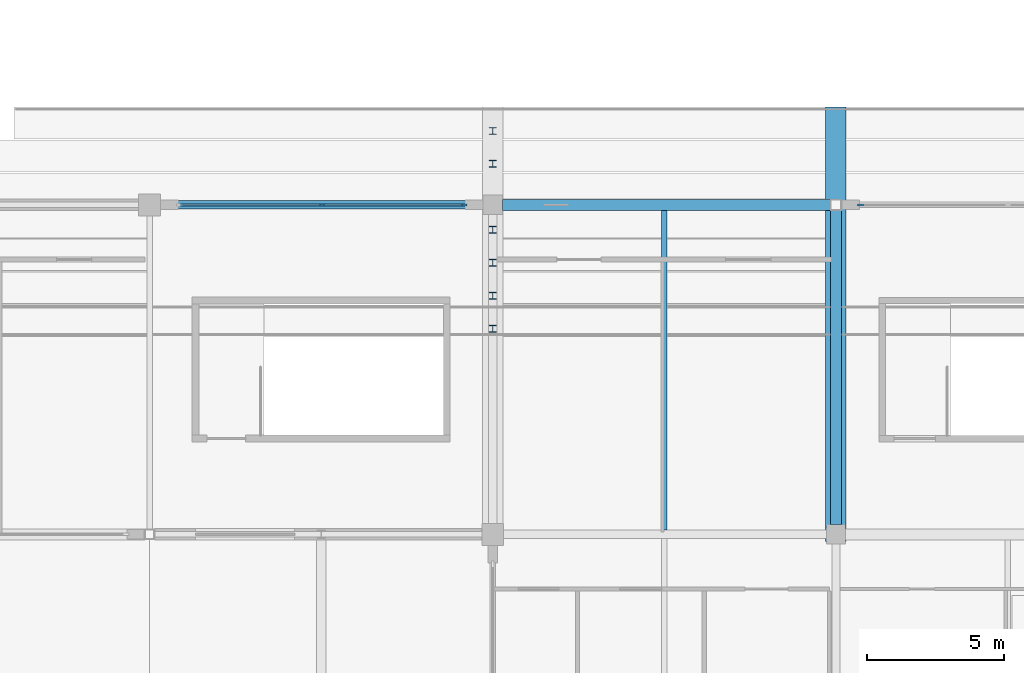
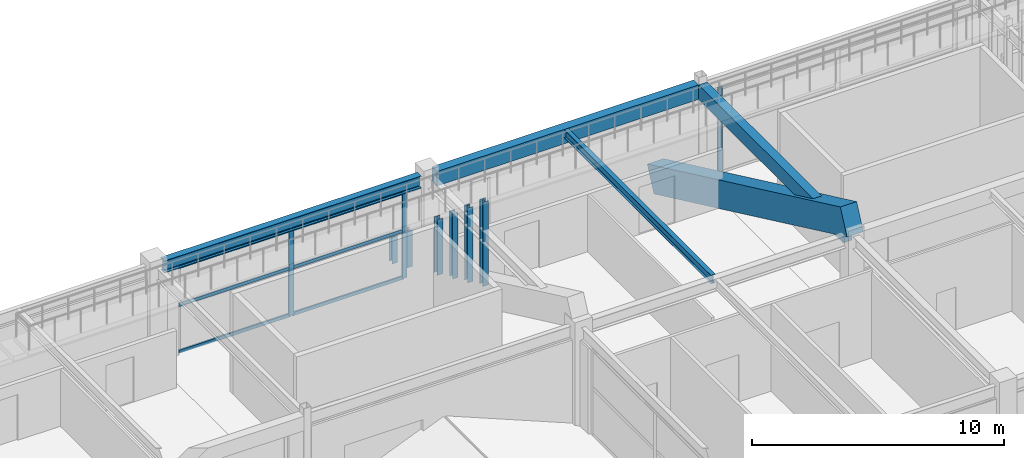
# One storey, part 33 of 128: 15 members, 5 beams, 2 elements without a shape of their own.
"""IFC4 building model written with IfcOpenShell, lengths in metres."""

from ifc_helpers import new_model, si_unit, direction, frame, origin, origin_2d, place, context, subcontext, project, spatial, rectangle, i_section, extrude, material, layer, layer_set, material_profile, profile_set, type_object, element, aggregate, save


model = new_model("IFC4")

# Units and contexts
model_context = context("Model", 3, precision=1e-05, world=origin(), true_north=direction((0.0, 1.0)))
body_context = subcontext(model_context, "Body", "Model", "MODEL_VIEW")
ifc_project = project(units=[si_unit("LENGTHUNIT", "METRE"), si_unit("AREAUNIT", "SQUARE_METRE"), si_unit("VOLUMEUNIT", "CUBIC_METRE"), si_unit("PLANEANGLEUNIT", "RADIAN"), si_unit("MASSUNIT", "GRAM", prefix="KILO")], contexts=[model_context])

# Site, building, storey
site_placement = place(None, origin())
site = spatial("IfcSite", under=ifc_project, at=site_placement, CompositionType="ELEMENT")
building_placement = place(site_placement, origin())
building = spatial("IfcBuilding", under=site, at=building_placement, Name="Kazenohara Klinker Stadium", CompositionType="ELEMENT")
storey_placement = place(building_placement, frame((0.0, 0.0, 15.300048828125)))
storey = spatial("IfcBuildingStorey", under=building, at=storey_placement, Name="L03", CompositionType="ELEMENT", Elevation=15.300048828125)

# Beams
ifc_material_1 = material(Name="Steel S355", Category="steel")
ifc_material_profile_1 = material_profile(ifc_material_1, i_section(OverallWidth=0.199951171875, OverallDepth=0.39990234375, WebThickness=0.008056640625, FlangeThickness=0.012939453125, FilletRadius=0.012939453125, at=origin_2d()), Name="H-400x200x8x13")
ifc_profile_set_1 = profile_set([ifc_material_profile_1], Name="Steel S355")
beam_type_1 = type_object("IfcBeamType", Name="BM-JST03", PredefinedType="JOIST", material=ifc_profile_set_1)
beam_1_placement = place(storey_placement, frame((80.25, 24.14990234375, 4.56005859375), z_axis=(0.0, 1.0, 0.0), x_axis=(-1.0, 0.0, 0.0)))
element("IfcBeam", 1, at=beam_1_placement, inside=storey, type_object=beam_type_1, Name="Secondary floor joist SJ03 L03 7/C", PredefinedType="JOIST", context=body_context, shape_type="SweptSolid", body=[
    extrude(i_section(OverallWidth=0.199951171875, OverallDepth=0.39990234375, WebThickness=0.008056640625, FlangeThickness=0.012939453125, FilletRadius=0.012939453125, at=origin_2d()), origin(), (0.0, 0.0, 1.0), 11.650146484375),
])
ifc_material_2 = material(Name="Concrete C40/50", Category="concrete")
ifc_material_profile_2 = material_profile(ifc_material_2, rectangle(XDim=0.39990234375, YDim=0.699951171875, at=origin_2d()), Name="RC-BM-400x700")
ifc_profile_set_2 = profile_set([ifc_material_profile_2], Name="Concrete C40/50")
beam_type_2 = type_object("IfcBeamType", Name="BM-RC04", PredefinedType="BEAM", material=ifc_profile_set_2)
beam_2_placement = place(storey_placement, frame((74.35009765625, 36.0, 4.409912109375), z_axis=(1.0, 0.0, 0.0), x_axis=(0.0, 1.0, 0.0)))
element("IfcBeam", 2, at=beam_2_placement, inside=storey, type_object=beam_type_2, Name="Primary girder BG04 L03 7-8/D", PredefinedType="BEAM", context=body_context, shape_type="SweptSolid", body=[
    extrude(rectangle(XDim=0.39990234375, YDim=0.699951171875, at=origin_2d()), origin(), (0.0, 0.0, 1.0), 11.949951171875),
])
beam_3_placement = place(storey_placement, frame((86.5, 24.35009765625, 4.409912109375), z_axis=(0.0, 1.0, 0.0), x_axis=(-1.0, 0.0, 0.0)))
element("IfcBeam", 3, at=beam_3_placement, inside=storey, type_object=beam_type_2, Name="Primary girder BG04 L03 8/C-D", PredefinedType="BEAM", context=body_context, shape_type="SweptSolid", body=[
    extrude(rectangle(XDim=0.39990234375, YDim=0.699951171875, at=origin_2d()), origin(), (0.0, 0.0, 1.0), 11.449951171875),
])
ifc_material_profile_3 = material_profile(ifc_material_1, i_section(OverallWidth=0.300048828125, OverallDepth=0.587890625, WebThickness=0.011962890625, FlangeThickness=0.02001953125, FilletRadius=0.02197265625, at=origin_2d()), Name="H-588x300x12x20")
ifc_profile_set_3 = profile_set([ifc_material_profile_3], Name="Steel S355")
beam_type_3 = type_object("IfcBeamType", Name="BM-ST05", PredefinedType="BEAM", material=ifc_profile_set_3)
beam_4_placement = place(storey_placement, frame((61.89990234375, 36.0, 4.466064453125), z_axis=(1.0, 0.0, 0.0), x_axis=(0.0, 1.0, 0.0)))
element("IfcBeam", 4, at=beam_4_placement, inside=storey, type_object=beam_type_3, Name="Primary girder SB05 L03 6-7/D", PredefinedType="BEAM", context=body_context, shape_type="SweptSolid", body=[
    extrude(i_section(OverallWidth=0.300048828125, OverallDepth=0.587890625, WebThickness=0.011962890625, FlangeThickness=0.02001953125, FilletRadius=0.02197265625, at=origin_2d()), origin(), (0.0, 0.0, 1.0), 11.75),
])

# Curtain wall, members
ifc_material_3 = material(Name="Anodised aluminium and triple glazing", Category="aluminium")
ifc_layer_1 = layer(ifc_material_3, 0.179931640625)
ifc_layer_set_1 = layer_set([ifc_layer_1], Name="Anodised aluminium and triple glazing")
curtain_wall_type_1 = type_object("IfcCurtainWallType", Name="CW-SYS-02", PredefinedType="USERDEFINED", material=ifc_layer_set_1)
curtain_wall_1_placement = place(storey_placement, origin())
curtain_wall_1 = element("IfcCurtainWall", 5, at=curtain_wall_1_placement, inside=storey, type_object=curtain_wall_type_1, Name="Unitised facade curtain wall CW02 L03 X5-3", ObjectType="UNITISED CURTAIN WALL", PredefinedType="USERDEFINED")
ifc_material_4 = material(Name="Anodised aluminium 6063-T6", Category="aluminium")
ifc_material_profile_4 = material_profile(ifc_material_4, rectangle(XDim=0.074951171875, YDim=0.219970703125, at=origin_2d()), Name="ALU-MUL-75x220")
ifc_profile_set_4 = profile_set([ifc_material_profile_4], Name="Anodised aluminium 6063-T6")
member_type_1 = type_object("IfcMemberType", Name="CW-MUL-220", PredefinedType="MULLION", material=ifc_profile_set_4)
member_1_placement = place(storey_placement, frame((67.77490234375, 36.0, 0.0), z_axis=(0.0, 0.0, 1.0), x_axis=(0.0, 1.0, 0.0)))
member_1 = element("IfcMember", 6, at=member_1_placement, type_object=member_type_1, Name="CW02 mullion 2", PredefinedType="MULLION", context=body_context, shape_type="SweptSolid", body=[
    extrude(rectangle(XDim=0.074951171875, YDim=0.219970703125, at=origin_2d()), origin(), (0.0, 0.0, 1.0), 4.171875),
])
member_2_placement = place(storey_placement, frame((72.95849609375, 36.0, 0.0), z_axis=(0.0, 0.0, 1.0), x_axis=(0.0, 1.0, 0.0)))
member_2 = element("IfcMember", 7, at=member_2_placement, type_object=member_type_1, Name="CW02 mullion 3", PredefinedType="MULLION", context=body_context, shape_type="SweptSolid", body=[
    extrude(rectangle(XDim=0.074951171875, YDim=0.219970703125, at=origin_2d()), origin(), (0.0, 0.0, 1.0), 4.171875),
])

# Curtain wall, member
ifc_layer_2 = layer(ifc_material_3, 0.159912109375)
ifc_layer_set_2 = layer_set([ifc_layer_2], Name="Anodised aluminium and triple glazing")
curtain_wall_type_2 = type_object("IfcCurtainWallType", Name="CW-SYS-01", PredefinedType="USERDEFINED", material=ifc_layer_set_2)
curtain_wall_2_placement = place(storey_placement, origin())
curtain_wall_2 = element("IfcCurtainWall", 8, at=curtain_wall_2_placement, inside=storey, type_object=curtain_wall_type_2, Name="Unitised facade curtain wall CW01 L03 X7-3", ObjectType="UNITISED CURTAIN WALL", PredefinedType="USERDEFINED")
member_3_placement = place(storey_placement, frame((87.3916015625, 36.0, 0.0), z_axis=(0.0, 0.0, 1.0), x_axis=(0.0, 1.0, 0.0)))
member_3 = element("IfcMember", 9, at=member_3_placement, type_object=member_type_1, Name="CW01 mullion 1", PredefinedType="MULLION", context=body_context, shape_type="SweptSolid", body=[
    extrude(rectangle(XDim=0.074951171875, YDim=0.219970703125, at=origin_2d()), origin(), (0.0, 0.0, 1.0), 4.159912109375),
])
aggregate(curtain_wall_2, [member_3])

# Member
ifc_material_profile_5 = material_profile(ifc_material_4, rectangle(XDim=0.074951171875, YDim=0.159912109375, at=origin_2d()), Name="ALU-TRN-75x160")
ifc_profile_set_5 = profile_set([ifc_material_profile_5], Name="Anodised aluminium 6063-T6")
member_type_2 = type_object("IfcMemberType", Name="CW-TRN-160", PredefinedType="USERDEFINED", material=ifc_profile_set_5)
member_4_placement = place(storey_placement, frame((62.62890625, 36.0, 0.037353515625), z_axis=(1.0, 0.0, 0.0), x_axis=(0.0, 1.0, 0.0)))
member_4 = element("IfcMember", 10, at=member_4_placement, type_object=member_type_2, Name="CW02 transom 1.1", ObjectType="TRANSOM", PredefinedType="USERDEFINED", context=body_context, shape_type="SweptSolid", body=[
    extrude(rectangle(XDim=0.074951171875, YDim=0.159912109375, at=origin_2d()), origin(), (0.0, 0.0, 1.0), 5.108642578125),
])

member_5_placement = place(storey_placement, frame((62.62890625, 36.0, 2.29443359375), z_axis=(1.0, 0.0, 0.0), x_axis=(0.0, 1.0, 0.0)))
member_5 = element("IfcMember", 11, at=member_5_placement, type_object=member_type_2, Name="CW02 transom 1.2", ObjectType="TRANSOM", PredefinedType="USERDEFINED", context=body_context, shape_type="SweptSolid", body=[
    extrude(rectangle(XDim=0.074951171875, YDim=0.159912109375, at=origin_2d()), origin(), (0.0, 0.0, 1.0), 5.108642578125),
])

member_6_placement = place(storey_placement, frame((62.62890625, 36.0, 4.134521484375), z_axis=(1.0, 0.0, 0.0), x_axis=(0.0, 1.0, 0.0)))
member_6 = element("IfcMember", 12, at=member_6_placement, type_object=member_type_2, Name="CW02 transom 1.3", ObjectType="TRANSOM", PredefinedType="USERDEFINED", context=body_context, shape_type="SweptSolid", body=[
    extrude(rectangle(XDim=0.074951171875, YDim=0.159912109375, at=origin_2d()), origin(), (0.0, 0.0, 1.0), 5.108642578125),
])

member_7_placement = place(storey_placement, frame((67.8125, 36.0, 0.037353515625), z_axis=(1.0, 0.0, 0.0), x_axis=(0.0, 1.0, 0.0)))
member_7 = element("IfcMember", 13, at=member_7_placement, type_object=member_type_2, Name="CW02 transom 2.1", ObjectType="TRANSOM", PredefinedType="USERDEFINED", context=body_context, shape_type="SweptSolid", body=[
    extrude(rectangle(XDim=0.074951171875, YDim=0.159912109375, at=origin_2d()), origin(), (0.0, 0.0, 1.0), 5.1083984375),
])

member_8_placement = place(storey_placement, frame((67.8125, 36.0, 2.29443359375), z_axis=(1.0, 0.0, 0.0), x_axis=(0.0, 1.0, 0.0)))
member_8 = element("IfcMember", 14, at=member_8_placement, type_object=member_type_2, Name="CW02 transom 2.2", ObjectType="TRANSOM", PredefinedType="USERDEFINED", context=body_context, shape_type="SweptSolid", body=[
    extrude(rectangle(XDim=0.074951171875, YDim=0.159912109375, at=origin_2d()), origin(), (0.0, 0.0, 1.0), 5.1083984375),
])

member_9_placement = place(storey_placement, frame((67.8125, 36.0, 4.134521484375), z_axis=(1.0, 0.0, 0.0), x_axis=(0.0, 1.0, 0.0)))
member_9 = element("IfcMember", 15, at=member_9_placement, type_object=member_type_2, Name="CW02 transom 2.3", ObjectType="TRANSOM", PredefinedType="USERDEFINED", context=body_context, shape_type="SweptSolid", body=[
    extrude(rectangle(XDim=0.074951171875, YDim=0.159912109375, at=origin_2d()), origin(), (0.0, 0.0, 1.0), 5.1083984375),
])

aggregate(curtain_wall_1, [member_1, member_2, member_4, member_5, member_6, member_7, member_8, member_9])

# Members
ifc_material_profile_6 = material_profile(ifc_material_1, i_section(OverallWidth=0.25, OverallDepth=0.25, WebThickness=0.009033203125, FlangeThickness=0.013916015625, FilletRadius=0.012939453125, at=origin_2d()), Name="H-250x250x9x14")
ifc_profile_set_6 = profile_set([ifc_material_profile_6], Name="Steel S355")
member_type_3 = type_object("IfcMemberType", Name="MEM-STR02", PredefinedType="STRUT", material=ifc_profile_set_6)
member_10_placement = place(storey_placement, frame((74.0, 31.489990234375, 2.04541015625), z_axis=(0.0, 0.0, 1.0), x_axis=(1.0, 0.0, 0.0)))
element("IfcMember", 16, at=member_10_placement, inside=storey, type_object=member_type_3, Name="Precast tier riser stool UPPER-S-01-06", PredefinedType="STRUT", context=body_context, shape_type="SweptSolid", body=[
    extrude(i_section(OverallWidth=0.25, OverallDepth=0.25, WebThickness=0.009033203125, FlangeThickness=0.013916015625, FilletRadius=0.012939453125, at=origin_2d()), origin(), (0.0, 0.0, 1.0), 4.074462890625),
])
member_11_placement = place(storey_placement, frame((74.0, 32.68994140625, 1.49853515625), z_axis=(0.0, 0.0, 1.0), x_axis=(1.0, 0.0, 0.0)))
element("IfcMember", 17, at=member_11_placement, inside=storey, type_object=member_type_3, Name="Precast tier riser stool UPPER-S-02-06", PredefinedType="STRUT", context=body_context, shape_type="SweptSolid", body=[
    extrude(i_section(OverallWidth=0.25, OverallDepth=0.25, WebThickness=0.009033203125, FlangeThickness=0.013916015625, FilletRadius=0.012939453125, at=origin_2d()), origin(), (0.0, 0.0, 1.0), 3.613037109375),
])
member_12_placement = place(storey_placement, frame((74.0, 33.889892578125, 0.95166015625), z_axis=(0.0, 0.0, 1.0), x_axis=(1.0, 0.0, 0.0)))
element("IfcMember", 18, at=member_12_placement, inside=storey, type_object=member_type_3, Name="Precast tier riser stool UPPER-S-03-06", PredefinedType="STRUT", context=body_context, shape_type="SweptSolid", body=[
    extrude(i_section(OverallWidth=0.25, OverallDepth=0.25, WebThickness=0.009033203125, FlangeThickness=0.013916015625, FilletRadius=0.012939453125, at=origin_2d()), origin(), (0.0, 0.0, 1.0), 3.151611328125),
])
member_13_placement = place(storey_placement, frame((74.0, 35.090087890625, 0.40478515625), z_axis=(0.0, 0.0, 1.0), x_axis=(1.0, 0.0, 0.0)))
element("IfcMember", 19, at=member_13_placement, inside=storey, type_object=member_type_3, Name="Precast tier riser stool UPPER-S-04-06", PredefinedType="STRUT", context=body_context, shape_type="SweptSolid", body=[
    extrude(i_section(OverallWidth=0.25, OverallDepth=0.25, WebThickness=0.009033203125, FlangeThickness=0.013916015625, FilletRadius=0.012939453125, at=origin_2d()), origin(), (0.0, 0.0, 1.0), 2.690185546875),
])
member_14_placement = place(storey_placement, frame((74.0, 37.489990234375, -0.68896484375), z_axis=(0.0, 0.0, 1.0), x_axis=(1.0, 0.0, 0.0)))
element("IfcMember", 20, at=member_14_placement, inside=storey, type_object=member_type_3, Name="Precast tier riser stool UPPER-S-06-06", PredefinedType="STRUT", context=body_context, shape_type="SweptSolid", body=[
    extrude(i_section(OverallWidth=0.25, OverallDepth=0.25, WebThickness=0.009033203125, FlangeThickness=0.013916015625, FilletRadius=0.012939453125, at=origin_2d()), origin(), (0.0, 0.0, 1.0), 1.767333984375),
])
member_15_placement = place(storey_placement, frame((74.0, 38.68994140625, -1.235595703125), z_axis=(0.0, 0.0, 1.0), x_axis=(1.0, 0.0, 0.0)))
element("IfcMember", 21, at=member_15_placement, inside=storey, type_object=member_type_3, Name="Precast tier riser stool UPPER-S-07-06", PredefinedType="STRUT", context=body_context, shape_type="SweptSolid", body=[
    extrude(i_section(OverallWidth=0.25, OverallDepth=0.25, WebThickness=0.009033203125, FlangeThickness=0.013916015625, FilletRadius=0.012939453125, at=origin_2d()), origin(), (0.0, 0.0, 1.0), 1.3056640625),
])

# Beam
ifc_material_5 = material(Name="Precast concrete C50/60", Category="concrete")
ifc_material_profile_7 = material_profile(ifc_material_5, rectangle(XDim=0.75, YDim=1.25, at=origin_2d()), Name="PC-RAKER-750x1250")
ifc_profile_set_7 = profile_set([ifc_material_profile_7], Name="Precast concrete C50/60")
beam_type_4 = type_object("IfcBeamType", Name="RAKER-RK02", PredefinedType="USERDEFINED", material=ifc_profile_set_7)
beam_5_placement = place(storey_placement, frame((86.5, 24.0, 5.351318359375), z_axis=(0.0, 0.904820338238, -0.425793559734), x_axis=(-1.0, 0.0, 0.0)))
element("IfcBeam", 22, at=beam_5_placement, inside=storey, type_object=beam_type_4, Name="Precast bowl raker girder RK02 UPPER South 8", ObjectType="RAKER", PredefinedType="USERDEFINED", context=body_context, shape_type="SweptSolid", body=[
    extrude(rectangle(XDim=0.75, YDim=1.25, at=origin_2d()), origin(), (0.0, 0.0, 1.0), 16.909423828125),
])

save(model, "model.ifc")
